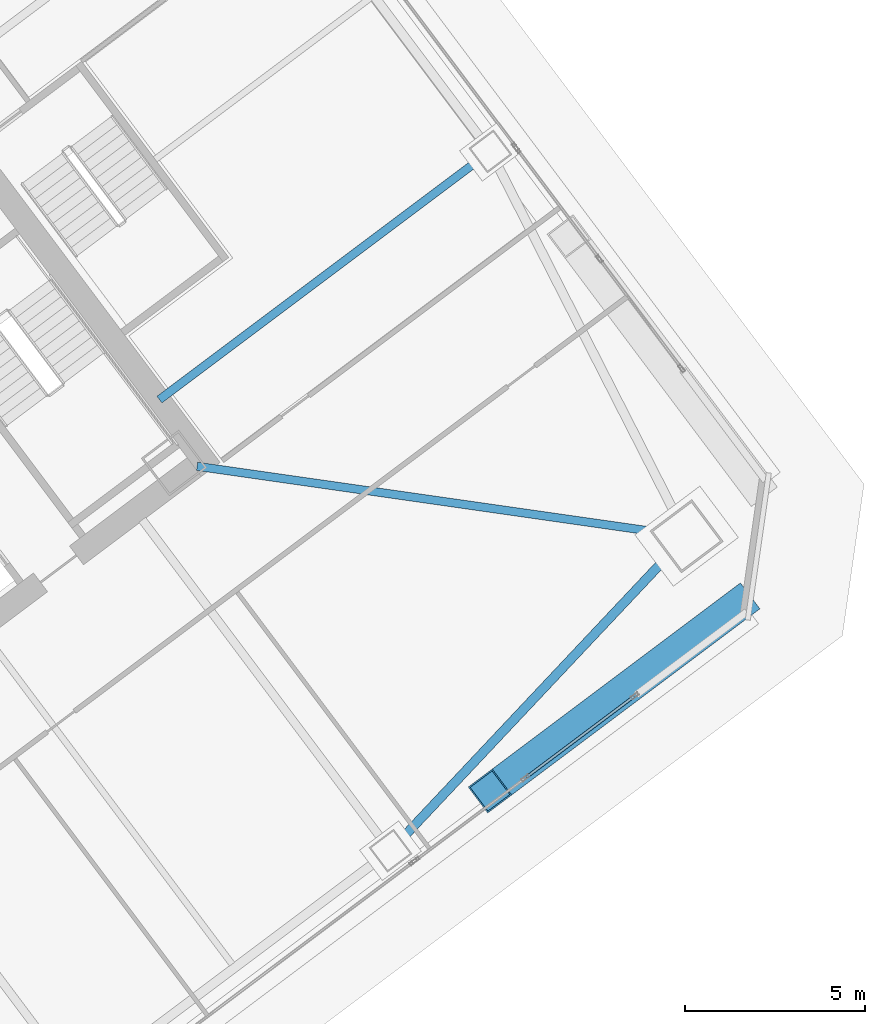
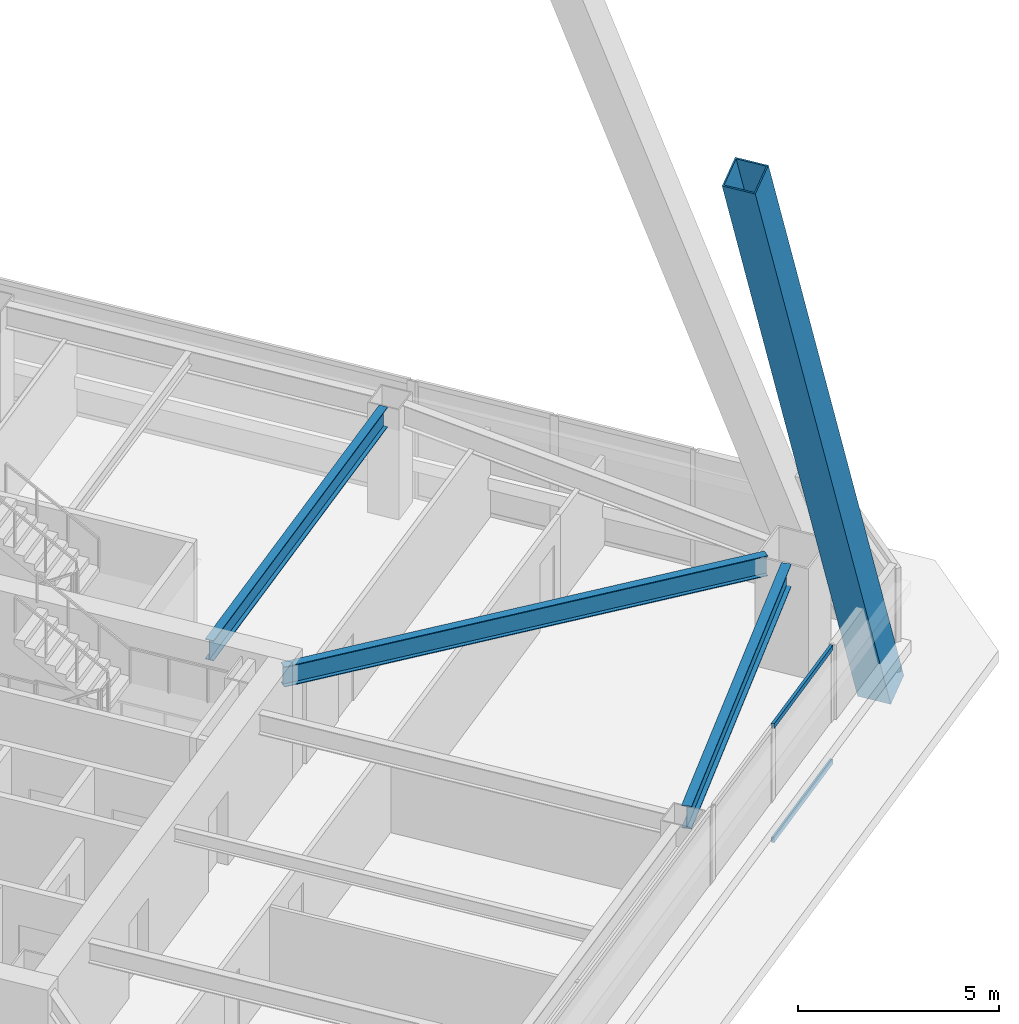
# One storey, part 41 of 67: 3 beams, 3 members, 1 element without a shape of its own.
"""IFC4 building model written with IfcOpenShell, lengths in metres."""

import ifcopenshell
import ifcopenshell.guid

model = None  # the IFC model being written
_history = None  # IfcOwnerHistory: only IFC2X3 demands one
_inside = {}  # id of a spatial element -> (the spatial element, [elements in it])
_under = {}  # id of a project, library or spatial element -> (it, [spatial elements below it])
_declared = {}  # id of a project -> (the project, [libraries it declares])
_typed = {}  # id of a type object -> (the type object, [elements of that type])
_made_of = {}  # id of a material, layer set ... -> (it, [elements and type objects made of it])


def new_model(schema):
    """Start an empty IFC model of exactly this schema.

    Asked for "IFC4X3", IfcOpenShell would pick the latest addendum, in which some entities
    have other attributes; the version numbers below select the first issue.
    IFC2X3 requires an IfcOwnerHistory on every rooted entity: one is made here for all.
    """
    global model, _history
    if schema == "IFC4X3":
        model = ifcopenshell.file(schema_version=(4, 3, 0, 0))
    else:
        model = ifcopenshell.file(schema=schema)
    _inside.clear()
    _under.clear()
    _declared.clear()
    _typed.clear()
    _made_of.clear()
    _history = None
    if model.schema == "IFC2X3":
        org = make("IfcOrganization", Name="unknown")
        user = make(
            "IfcPersonAndOrganization",
            ThePerson=make("IfcPerson", FamilyName="unknown"),
            TheOrganization=org,
        )
        app = make(
            "IfcApplication",
            ApplicationDeveloper=org,
            Version="unknown",
            ApplicationFullName="unknown",
            ApplicationIdentifier="unknown",
        )
        _history = make(
            "IfcOwnerHistory",
            OwningUser=user,
            OwningApplication=app,
            ChangeAction="ADDED",
            CreationDate=0,
        )
    return model


def make(cls, **values):
    """One entity of the class cls with the attributes given. An attribute that is None is left unset."""
    return model.create_entity(
        cls, **{name: value for name, value in values.items() if value is not None}
    )


def rooted(cls, **values):
    """An entity with a GlobalId (a new one), such as an element, a storey or a relation."""
    return make(cls, GlobalId=ifcopenshell.guid.new(), OwnerHistory=_history, **values)


def si_unit(unit_type, name, prefix=None):
    """IfcSIUnit, for example si_unit("LENGTHUNIT", "METRE", prefix="MILLI")."""
    return make("IfcSIUnit", UnitType=unit_type, Prefix=prefix, Name=name)


def assignment(units):
    """IfcUnitAssignment: the units of a project."""
    return None if units is None else make("IfcUnitAssignment", Units=units)


def point(xyz):
    """IfcCartesianPoint."""
    return None if xyz is None else make("IfcCartesianPoint", Coordinates=xyz)


def direction(xyz):
    """IfcDirection."""
    return None if xyz is None else make("IfcDirection", DirectionRatios=xyz)


def frame(location, z_axis=None, x_axis=None):
    """IfcAxis2Placement3D, a coordinate frame: its origin and axes. An axis left out is left unset."""
    return make(
        "IfcAxis2Placement3D",
        Location=point(location),
        Axis=direction(z_axis),
        RefDirection=direction(x_axis),
    )


def frame_2d(location, x_axis=None):
    """IfcAxis2Placement2D, a coordinate frame in the plane: its origin and x axis."""
    return make(
        "IfcAxis2Placement2D", Location=point(location), RefDirection=direction(x_axis)
    )


def origin():
    """The frame at (0, 0, 0) with its axes left unset."""
    return frame((0.0, 0.0, 0.0))


def origin_2d():
    """The frame at (0, 0) in the plane with its x axis left unset."""
    return frame_2d((0.0, 0.0))


def place(relative_to, where):
    """IfcLocalPlacement: puts the frame where relative to a parent placement (None: the world)."""
    return make(
        "IfcLocalPlacement", PlacementRelTo=relative_to, RelativePlacement=where
    )


def context(
    kind, dimensions, precision=None, world=None, true_north=None, identifier=None
):
    """IfcGeometricRepresentationContext, for example the 3D "Model" context."""
    return make(
        "IfcGeometricRepresentationContext",
        ContextIdentifier=identifier,
        ContextType=kind,
        CoordinateSpaceDimension=dimensions,
        Precision=precision,
        WorldCoordinateSystem=world,
        TrueNorth=true_north,
    )


def subcontext(parent, identifier, kind, view, scale=None):
    """IfcGeometricRepresentationSubContext, for example "Body" below "Model"."""
    return make(
        "IfcGeometricRepresentationSubContext",
        ContextIdentifier=identifier,
        ContextType=kind,
        ParentContext=parent,
        TargetScale=scale,
        TargetView=view,
    )


def project(units=None, contexts=None):
    """IfcProject with its units and contexts."""
    return rooted(
        "IfcProject",
        Name="project",
        RepresentationContexts=contexts,
        UnitsInContext=assignment(units),
    )


def spatial(cls, under=None, at=None, **own):
    """A site, building, storey or space (cls), placed at a placement, below another one or the project."""
    s = rooted(cls, ObjectPlacement=at, **own)
    if under is not None:
        _under.setdefault(under.id(), (under, []))[1].append(s)
    return s


def profile(cls, at=None, kind="AREA", **sizes):
    """A parametric profile (cls). Its sizes go by their IFC names, for example OverallWidth=200.0."""
    return make(cls, ProfileType=kind, Position=at, **sizes)


def hollow_rectangle(**sizes):
    """IfcRectangleHollowProfileDef."""
    return profile("IfcRectangleHollowProfileDef", **sizes)


def i_section(**sizes):
    """IfcIShapeProfileDef."""
    return profile("IfcIShapeProfileDef", **sizes)


def extrude(swept, where, along, depth):
    """IfcExtrudedAreaSolid: the profile swept, set in the frame where, extruded along a direction by depth."""
    return make(
        "IfcExtrudedAreaSolid",
        SweptArea=swept,
        Position=where,
        ExtrudedDirection=direction(along),
        Depth=depth,
    )


def shape(context_of_items, identifier, shape_type, items):
    """IfcShapeRepresentation: the items that make up one representation, for example the "Body"."""
    return make(
        "IfcShapeRepresentation",
        ContextOfItems=context_of_items,
        RepresentationIdentifier=identifier,
        RepresentationType=shape_type,
        Items=items,
    )


def material(Name=None, Category=None):
    """IfcMaterial."""
    return make("IfcMaterial", Name=Name, Category=Category)


def material_profile(
    of_material, cross_section, Name=None, Category=None, Priority=None
):
    """IfcMaterialProfile: a cross section and its material."""
    return make(
        "IfcMaterialProfile",
        Name=Name,
        Material=of_material,
        Profile=cross_section,
        Priority=Priority,
        Category=Category,
    )


def profile_set(profiles, Name=None, composite=None):
    """IfcMaterialProfileSet."""
    return make(
        "IfcMaterialProfileSet",
        Name=Name,
        MaterialProfiles=profiles,
        CompositeProfile=composite,
    )


def made_of(thing, what):
    """Note that an element or type object is made of a material, layer set ...; save() writes the relation."""
    if what is not None:
        _made_of.setdefault(what.id(), (what, []))[1].append(thing)
    return thing


def type_object(cls, material=None, **own):
    """A type object (cls), such as IfcWallType, which elements share."""
    return made_of(rooted(cls, **own), material)


def element(
    cls,
    number,
    at=None,
    inside=None,
    cuts=None,
    type_object=None,
    material=None,
    context=None,
    identifier="Body",
    shape_type=None,
    held_by="IfcProductDefinitionShape",
    body=None,
    shapes=None,
    **own,
):
    """One element of the class cls, such as IfcWall. Its Tag is "e" and its number.

    at: its placement. inside: the storey or other place that contains it. cuts: it is an
    opening in that element (IfcRelVoidsElement). A single representation is given by context,
    identifier, shape_type and body (its items); several are given by shapes. held_by: the class
    of the entity that holds the representations. save() writes the other relations.
    """
    e = rooted(cls, Tag="e%d" % number, ObjectPlacement=at, **own)
    if body is not None:
        shapes = [shape(context, identifier, shape_type, body)]
    if shapes is not None:
        e.Representation = make(held_by, Representations=shapes)
    if inside is not None:
        _inside.setdefault(inside.id(), (inside, []))[1].append(e)
    if cuts is not None:
        rooted(
            "IfcRelVoidsElement", RelatingBuildingElement=cuts, RelatedOpeningElement=e
        )
    if type_object is not None:
        _typed.setdefault(type_object.id(), (type_object, []))[1].append(e)
    return made_of(e, material)


def aggregate(whole, parts):
    """IfcRelAggregates: a whole, such as a stair, and the parts it consists of."""
    return rooted("IfcRelAggregates", RelatingObject=whole, RelatedObjects=parts)


def save(model, path):
    """Write the relations noted so far, then the file.

    IfcRelAggregates (storeys below a building ...), IfcRelContainedInSpatialStructure (elements
    in a storey), IfcRelDefinesByType, IfcRelAssociatesMaterial and IfcRelDeclares: one each for
    every whole, place, type object, material and project.
    """
    for whole, parts in _under.values():
        aggregate(whole, parts)
    for where, things in _inside.values():
        rooted(
            "IfcRelContainedInSpatialStructure",
            RelatedElements=things,
            RelatingStructure=where,
        )
    for kind, things in _typed.values():
        rooted("IfcRelDefinesByType", RelatedObjects=things, RelatingType=kind)
    for what, things in _made_of.values():
        rooted("IfcRelAssociatesMaterial", RelatedObjects=things, RelatingMaterial=what)
    for by, libraries in _declared.values():
        rooted("IfcRelDeclares", RelatingContext=by, RelatedDefinitions=libraries)
    model.write(path)


model = new_model("IFC4")

# Units and contexts
model_context = context("Model", 3, precision=1e-05, world=origin(), true_north=direction((0.0, 1.0)))
body_context = subcontext(model_context, "Body", "Model", "MODEL_VIEW")
ifc_project = project(units=[si_unit("LENGTHUNIT", "METRE"), si_unit("AREAUNIT", "SQUARE_METRE"), si_unit("VOLUMEUNIT", "CUBIC_METRE"), si_unit("PLANEANGLEUNIT", "RADIAN"), si_unit("MASSUNIT", "GRAM", prefix="KILO")], contexts=[model_context])

# Site, building, storey
site_placement = place(None, origin())
site = spatial("IfcSite", under=ifc_project, at=site_placement, CompositionType="ELEMENT")
building_placement = place(site_placement, origin())
building = spatial("IfcBuilding", under=site, at=building_placement, Name="Tashvorn Skyway Center", CompositionType="ELEMENT")
storey_placement = place(building_placement, frame((0.0, 0.0, 67.199951171875)))
storey = spatial("IfcBuildingStorey", under=building, at=storey_placement, Name="L17", CompositionType="ELEMENT", Elevation=67.199951171875)

# Beams
ifc_material_1 = material(Name="Steel ASTM A992 Grade 50", Category="steel")
ifc_material_profile_1 = material_profile(ifc_material_1, i_section(OverallWidth=0.22998046875, OverallDepth=0.616943359375, WebThickness=0.01318359375, FlangeThickness=0.022216796875, at=origin_2d()), Name="W24X94")
ifc_profile_set_1 = profile_set([ifc_material_profile_1], Name="Steel ASTM A992 Grade 50")
beam_type_1 = type_object("IfcBeamType", Name="BM-BEAM-W24X94", PredefinedType="BEAM", material=ifc_profile_set_1)
beam_1_placement = place(storey_placement, frame((137.3671875, 28.661865234375, 3.04150390625), z_axis=(-0.989949869571, 0.141418724841, 0.0), x_axis=(-0.141418724841, -0.989949869571, 0.0)))
element("IfcBeam", 1, at=beam_1_placement, inside=storey, type_object=beam_type_1, Name="Tower 2 L17 Primary Floor Girder MC-SE", PredefinedType="BEAM", context=body_context, shape_type="SweptSolid", body=[
    extrude(i_section(OverallWidth=0.22998046875, OverallDepth=0.616943359375, WebThickness=0.01318359375, FlangeThickness=0.022216796875, at=origin_2d()), origin(), (0.0, 0.0, 1.0), 12.9892578125),
])
beam_2_placement = place(storey_placement, frame((132.303955078125, 38.97802734375, 3.04150390625), z_axis=(-0.799989394625, -0.60001414024, 0.0), x_axis=(0.60001414024, -0.799989394625, 0.0)))
element("IfcBeam", 2, at=beam_2_placement, inside=storey, type_object=beam_type_1, Name="Tower 2 L17 Primary Floor Girder FC-E1", PredefinedType="BEAM", context=body_context, shape_type="SweptSolid", body=[
    extrude(i_section(OverallWidth=0.22998046875, OverallDepth=0.616943359375, WebThickness=0.01318359375, FlangeThickness=0.022216796875, at=origin_2d()), origin(), (0.0, 0.0, 1.0), 11.050048828125),
])
ifc_material_profile_2 = material_profile(ifc_material_1, i_section(OverallWidth=0.256103515625, OverallDepth=0.693115234375, WebThickness=0.014404296875, FlangeThickness=0.023681640625, at=origin_2d()), Name="W27X114")
ifc_profile_set_2 = profile_set([ifc_material_profile_2], Name="Steel ASTM A992 Grade 50")
beam_type_2 = type_object("IfcBeamType", Name="BM-SPANDREL-W27X114", PredefinedType="SPANDREL", material=ifc_profile_set_2)
beam_3_placement = place(storey_placement, frame((130.157958984375, 20.145751953125, 3.003662109375), z_axis=(0.685484857238, 0.728086883893, 0.0), x_axis=(-0.728086883893, 0.685484857238, 0.0)))
element("IfcBeam", 3, at=beam_3_placement, inside=storey, type_object=beam_type_2, Name="Tower 2 L17 Spandrel Beam 03", PredefinedType="SPANDREL", context=body_context, shape_type="SweptSolid", body=[
    extrude(i_section(OverallWidth=0.256103515625, OverallDepth=0.693115234375, WebThickness=0.014404296875, FlangeThickness=0.023681640625, at=origin_2d()), origin(), (0.0, 0.0, 1.0), 10.8369140625),
])

# Curtain wall, members
ifc_material_2 = material(Name="Thermally broken bronze-anodized aluminium 6063-T6", Category="aluminium")
curtain_wall_type = type_object("IfcCurtainWallType", Name="CW-CW-Z2", PredefinedType="NOTDEFINED", material=ifc_material_2)
curtain_wall_placement = place(storey_placement, origin())
curtain_wall = element("IfcCurtainWall", 4, at=curtain_wall_placement, inside=storey, type_object=curtain_wall_type, Name="Tower 2 L17 South Unitised Curtain Wall Glazing Group 1", PredefinedType="NOTDEFINED")
ifc_material_profile_3 = material_profile(ifc_material_2, hollow_rectangle(XDim=0.080078125, YDim=0.14990234375, WallThickness=0.00439453125, at=origin_2d()), Name="ALU-TRAN-80x150")
ifc_profile_set_3 = profile_set([ifc_material_profile_3], Name="Thermally broken bronze-anodized aluminium 6063-T6")
member_type_1 = type_object("IfcMemberType", Name="CWT-CW-Z2", PredefinedType="USERDEFINED", material=ifc_profile_set_3)
member_1_placement = place(storey_placement, frame((136.615966796875, 24.112060546875, 0.0400390625), z_axis=(-0.799984249419, -0.6000210002, 0.0), x_axis=(0.6000210002, -0.799984249419, 0.0)))
member_1 = element("IfcMember", 5, at=member_1_placement, type_object=member_type_1, Name="CW-Z2 transom 1.1", ObjectType="TRANSOM", PredefinedType="USERDEFINED", context=body_context, shape_type="SweptSolid", body=[
    extrude(hollow_rectangle(XDim=0.080078125, YDim=0.14990234375, WallThickness=0.00439453125, at=origin_2d()), origin(), (0.0, 0.0, 1.0), 3.72021484375),
])
member_2_placement = place(storey_placement, frame((136.615966796875, 24.112060546875, 3.510009765625), z_axis=(-0.799984249419, -0.6000210002, 0.0), x_axis=(0.6000210002, -0.799984249419, 0.0)))
member_2 = element("IfcMember", 6, at=member_2_placement, type_object=member_type_1, Name="CW-Z2 transom 1.2", ObjectType="TRANSOM", PredefinedType="USERDEFINED", context=body_context, shape_type="SweptSolid", body=[
    extrude(hollow_rectangle(XDim=0.080078125, YDim=0.14990234375, WallThickness=0.00439453125, at=origin_2d()), origin(), (0.0, 0.0, 1.0), 3.72021484375),
])
aggregate(curtain_wall, [member_1, member_2])

# Member
ifc_material_3 = material(Name="Steel ASTM A572 Grade 50", Category="steel")
ifc_material_profile_4 = material_profile(ifc_material_3, hollow_rectangle(XDim=0.89990234375, YDim=0.89990234375, WallThickness=0.0400390625, at=origin_2d()), Name="BOX900x900x40")
ifc_profile_set_4 = profile_set([ifc_material_profile_4], Name="Steel ASTM A572 Grade 50")
member_type_2 = type_object("IfcMemberType", Name="MEM-MB-900", PredefinedType="BRACE", material=ifc_profile_set_4)
member_3_placement = place(storey_placement, frame((139.508056640625, 26.656005859375, -0.219970703125), z_axis=(-0.302322090541, -0.226733522004, 0.925847321954), x_axis=(0.599986373537, -0.800010219666, 0.0)))
element("IfcMember", 7, at=member_3_placement, inside=storey, type_object=member_type_2, Name="Tower 2 Zone 2 S Chevron Mega-Brace R1", PredefinedType="BRACE", context=body_context, shape_type="SweptSolid", body=[
    extrude(hollow_rectangle(XDim=0.89990234375, YDim=0.89990234375, WallThickness=0.0400390625, at=origin_2d()), origin(), (0.0, 0.0, 1.0), 22.757568359375),
])

save(model, "model.ifc")
